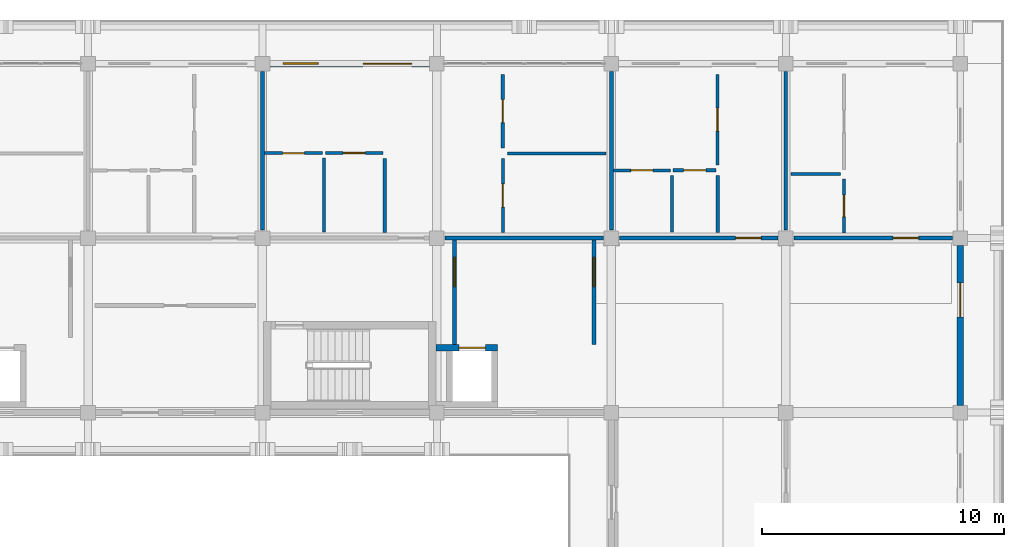
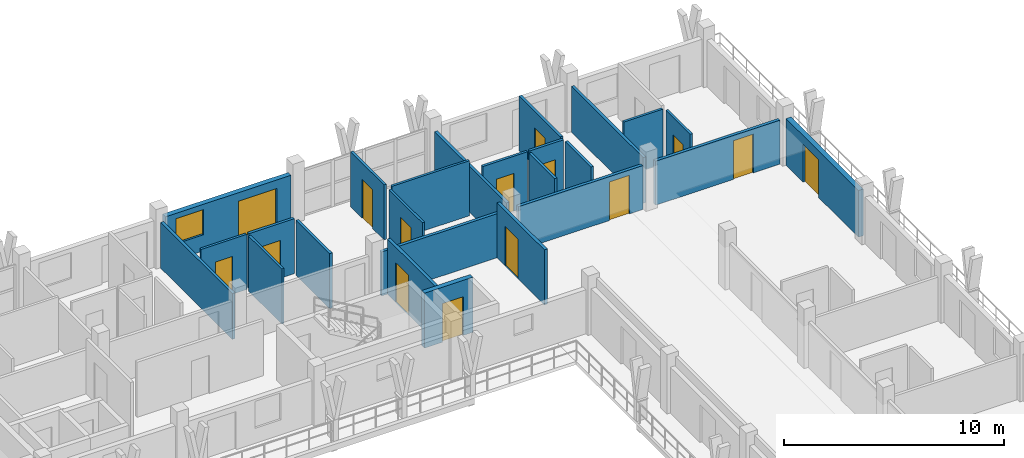
# One storey, part 57 of 75: 25 walls, 15 doors, 1 window, 16 openings.
"""IFC4 building model written with IfcOpenShell, lengths in metres."""

import ifcopenshell
import ifcopenshell.guid

model = None  # the IFC model being written
_history = None  # IfcOwnerHistory: only IFC2X3 demands one
_inside = {}  # id of a spatial element -> (the spatial element, [elements in it])
_under = {}  # id of a project, library or spatial element -> (it, [spatial elements below it])
_declared = {}  # id of a project -> (the project, [libraries it declares])
_typed = {}  # id of a type object -> (the type object, [elements of that type])
_made_of = {}  # id of a material, layer set ... -> (it, [elements and type objects made of it])


def new_model(schema):
    """Start an empty IFC model of exactly this schema.

    Asked for "IFC4X3", IfcOpenShell would pick the latest addendum, in which some entities
    have other attributes; the version numbers below select the first issue.
    IFC2X3 requires an IfcOwnerHistory on every rooted entity: one is made here for all.
    """
    global model, _history
    if schema == "IFC4X3":
        model = ifcopenshell.file(schema_version=(4, 3, 0, 0))
    else:
        model = ifcopenshell.file(schema=schema)
    _inside.clear()
    _under.clear()
    _declared.clear()
    _typed.clear()
    _made_of.clear()
    _history = None
    if model.schema == "IFC2X3":
        org = make("IfcOrganization", Name="unknown")
        user = make(
            "IfcPersonAndOrganization",
            ThePerson=make("IfcPerson", FamilyName="unknown"),
            TheOrganization=org,
        )
        app = make(
            "IfcApplication",
            ApplicationDeveloper=org,
            Version="unknown",
            ApplicationFullName="unknown",
            ApplicationIdentifier="unknown",
        )
        _history = make(
            "IfcOwnerHistory",
            OwningUser=user,
            OwningApplication=app,
            ChangeAction="ADDED",
            CreationDate=0,
        )
    return model


def make(cls, **values):
    """One entity of the class cls with the attributes given. An attribute that is None is left unset."""
    return model.create_entity(
        cls, **{name: value for name, value in values.items() if value is not None}
    )


def rooted(cls, **values):
    """An entity with a GlobalId (a new one), such as an element, a storey or a relation."""
    return make(cls, GlobalId=ifcopenshell.guid.new(), OwnerHistory=_history, **values)


def si_unit(unit_type, name, prefix=None):
    """IfcSIUnit, for example si_unit("LENGTHUNIT", "METRE", prefix="MILLI")."""
    return make("IfcSIUnit", UnitType=unit_type, Prefix=prefix, Name=name)


def assignment(units):
    """IfcUnitAssignment: the units of a project."""
    return None if units is None else make("IfcUnitAssignment", Units=units)


def point(xyz):
    """IfcCartesianPoint."""
    return None if xyz is None else make("IfcCartesianPoint", Coordinates=xyz)


def direction(xyz):
    """IfcDirection."""
    return None if xyz is None else make("IfcDirection", DirectionRatios=xyz)


def frame(location, z_axis=None, x_axis=None):
    """IfcAxis2Placement3D, a coordinate frame: its origin and axes. An axis left out is left unset."""
    return make(
        "IfcAxis2Placement3D",
        Location=point(location),
        Axis=direction(z_axis),
        RefDirection=direction(x_axis),
    )


def frame_2d(location, x_axis=None):
    """IfcAxis2Placement2D, a coordinate frame in the plane: its origin and x axis."""
    return make(
        "IfcAxis2Placement2D", Location=point(location), RefDirection=direction(x_axis)
    )


def origin():
    """The frame at (0, 0, 0) with its axes left unset."""
    return frame((0.0, 0.0, 0.0))


def place(relative_to, where):
    """IfcLocalPlacement: puts the frame where relative to a parent placement (None: the world)."""
    return make(
        "IfcLocalPlacement", PlacementRelTo=relative_to, RelativePlacement=where
    )


def context(
    kind, dimensions, precision=None, world=None, true_north=None, identifier=None
):
    """IfcGeometricRepresentationContext, for example the 3D "Model" context."""
    return make(
        "IfcGeometricRepresentationContext",
        ContextIdentifier=identifier,
        ContextType=kind,
        CoordinateSpaceDimension=dimensions,
        Precision=precision,
        WorldCoordinateSystem=world,
        TrueNorth=true_north,
    )


def subcontext(parent, identifier, kind, view, scale=None):
    """IfcGeometricRepresentationSubContext, for example "Body" below "Model"."""
    return make(
        "IfcGeometricRepresentationSubContext",
        ContextIdentifier=identifier,
        ContextType=kind,
        ParentContext=parent,
        TargetScale=scale,
        TargetView=view,
    )


def project(units=None, contexts=None):
    """IfcProject with its units and contexts."""
    return rooted(
        "IfcProject",
        Name="project",
        RepresentationContexts=contexts,
        UnitsInContext=assignment(units),
    )


def spatial(cls, under=None, at=None, **own):
    """A site, building, storey or space (cls), placed at a placement, below another one or the project."""
    s = rooted(cls, ObjectPlacement=at, **own)
    if under is not None:
        _under.setdefault(under.id(), (under, []))[1].append(s)
    return s


def profile(cls, at=None, kind="AREA", **sizes):
    """A parametric profile (cls). Its sizes go by their IFC names, for example OverallWidth=200.0."""
    return make(cls, ProfileType=kind, Position=at, **sizes)


def rectangle(**sizes):
    """IfcRectangleProfileDef."""
    return profile("IfcRectangleProfileDef", **sizes)


def extrude(swept, where, along, depth):
    """IfcExtrudedAreaSolid: the profile swept, set in the frame where, extruded along a direction by depth."""
    return make(
        "IfcExtrudedAreaSolid",
        SweptArea=swept,
        Position=where,
        ExtrudedDirection=direction(along),
        Depth=depth,
    )


def shape(context_of_items, identifier, shape_type, items):
    """IfcShapeRepresentation: the items that make up one representation, for example the "Body"."""
    return make(
        "IfcShapeRepresentation",
        ContextOfItems=context_of_items,
        RepresentationIdentifier=identifier,
        RepresentationType=shape_type,
        Items=items,
    )


def material(Name=None, Category=None):
    """IfcMaterial."""
    return make("IfcMaterial", Name=Name, Category=Category)


def layer(
    of_material, thickness, ventilated=None, Name=None, Category=None, Priority=None
):
    """IfcMaterialLayer: one layer of a wall or slab, of a material (None: an air gap)."""
    return make(
        "IfcMaterialLayer",
        Material=of_material,
        LayerThickness=thickness,
        IsVentilated=ventilated,
        Name=Name,
        Category=Category,
        Priority=Priority,
    )


def layer_set(layers, Name=None):
    """IfcMaterialLayerSet."""
    return make("IfcMaterialLayerSet", MaterialLayers=layers, LayerSetName=Name)


def made_of(thing, what):
    """Note that an element or type object is made of a material, layer set ...; save() writes the relation."""
    if what is not None:
        _made_of.setdefault(what.id(), (what, []))[1].append(thing)
    return thing


def type_object(cls, material=None, **own):
    """A type object (cls), such as IfcWallType, which elements share."""
    return made_of(rooted(cls, **own), material)


def element(
    cls,
    number,
    at=None,
    inside=None,
    cuts=None,
    type_object=None,
    material=None,
    context=None,
    identifier="Body",
    shape_type=None,
    held_by="IfcProductDefinitionShape",
    body=None,
    shapes=None,
    **own,
):
    """One element of the class cls, such as IfcWall. Its Tag is "e" and its number.

    at: its placement. inside: the storey or other place that contains it. cuts: it is an
    opening in that element (IfcRelVoidsElement). A single representation is given by context,
    identifier, shape_type and body (its items); several are given by shapes. held_by: the class
    of the entity that holds the representations. save() writes the other relations.
    """
    e = rooted(cls, Tag="e%d" % number, ObjectPlacement=at, **own)
    if body is not None:
        shapes = [shape(context, identifier, shape_type, body)]
    if shapes is not None:
        e.Representation = make(held_by, Representations=shapes)
    if inside is not None:
        _inside.setdefault(inside.id(), (inside, []))[1].append(e)
    if cuts is not None:
        rooted(
            "IfcRelVoidsElement", RelatingBuildingElement=cuts, RelatedOpeningElement=e
        )
    if type_object is not None:
        _typed.setdefault(type_object.id(), (type_object, []))[1].append(e)
    return made_of(e, material)


def fill(opening, filler):
    """IfcRelFillsElement: the door or window that sits in an opening."""
    return rooted(
        "IfcRelFillsElement",
        RelatingOpeningElement=opening,
        RelatedBuildingElement=filler,
    )


def aggregate(whole, parts):
    """IfcRelAggregates: a whole, such as a stair, and the parts it consists of."""
    return rooted("IfcRelAggregates", RelatingObject=whole, RelatedObjects=parts)


def save(model, path):
    """Write the relations noted so far, then the file.

    IfcRelAggregates (storeys below a building ...), IfcRelContainedInSpatialStructure (elements
    in a storey), IfcRelDefinesByType, IfcRelAssociatesMaterial and IfcRelDeclares: one each for
    every whole, place, type object, material and project.
    """
    for whole, parts in _under.values():
        aggregate(whole, parts)
    for where, things in _inside.values():
        rooted(
            "IfcRelContainedInSpatialStructure",
            RelatedElements=things,
            RelatingStructure=where,
        )
    for kind, things in _typed.values():
        rooted("IfcRelDefinesByType", RelatedObjects=things, RelatingType=kind)
    for what, things in _made_of.values():
        rooted("IfcRelAssociatesMaterial", RelatedObjects=things, RelatingMaterial=what)
    for by, libraries in _declared.values():
        rooted("IfcRelDeclares", RelatingContext=by, RelatedDefinitions=libraries)
    model.write(path)


model = new_model("IFC4")

# Units and contexts
model_context = context("Model", 3, precision=1e-05, world=origin(), true_north=direction((0.0, 1.0)))
body_context = subcontext(model_context, "Body", "Model", "MODEL_VIEW")
ifc_project = project(units=[si_unit("LENGTHUNIT", "METRE"), si_unit("AREAUNIT", "SQUARE_METRE"), si_unit("VOLUMEUNIT", "CUBIC_METRE"), si_unit("PLANEANGLEUNIT", "RADIAN"), si_unit("MASSUNIT", "GRAM", prefix="KILO")], contexts=[model_context])

# Site, building, storey
site_placement = place(None, origin())
site = spatial("IfcSite", under=ifc_project, at=site_placement, CompositionType="ELEMENT")
building_placement = place(site_placement, origin())
building = spatial("IfcBuilding", under=site, at=building_placement, Name="Suanplinth Sawtooth Commons", CompositionType="ELEMENT")
storey_placement = place(building_placement, frame((0.0, 0.0, 18.60009765625)))
storey = spatial("IfcBuildingStorey", under=building, at=storey_placement, Name="L05", CompositionType="ELEMENT", Elevation=18.60009765625)

# Wall, openings, door, window
ifc_material_1 = material(Name="Precast concrete C40/50", Category="concrete")
ifc_layer_1 = layer(ifc_material_1, 0.260009765625, Name="Insulated precast courtyard facade wall 260mm")
ifc_layer_set_1 = layer_set([ifc_layer_1], Name="Precast concrete C40/50")
wall_type_1 = type_object("IfcWallType", Name="W-EX02", PredefinedType="ELEMENTEDWALL", material=ifc_layer_set_1)
wall_1_placement = place(storey_placement, frame((158.699951171875, 122.39990234375, 0.0), z_axis=(0.0, 0.0, 1.0), x_axis=(1.0, 0.0, 0.0)))
wall_1 = element("IfcWall", 1, at=wall_1_placement, inside=storey, type_object=wall_type_1, Name="Facade Wall W-L05-B-N-22-16", PredefinedType="ELEMENTEDWALL", context=body_context, shape_type="SweptSolid", body=[
    extrude(rectangle(XDim=6.60009765625, YDim=0.260009765625, at=frame_2d((3.300048828125, 0.0))), origin(), (0.0, 0.0, 1.0), 2.594970703125),
])
opening_1_placement = place(wall_1_placement, frame((3.85009765625, 0.0, 0.0)))
opening_1 = element("IfcOpeningElement", 2, at=opening_1_placement, cuts=wall_1, Name="Opening ED0429", PredefinedType="OPENING", context=body_context, shape_type="SweptSolid", body=[
    extrude(rectangle(XDim=2.0, YDim=2.1201171875, at=frame_2d((1.0, 1.06005859375))), frame((0.0, 0.14501953125, 0.0), z_axis=(0.0, -1.0, 0.0), x_axis=(1.0, 0.0, 0.0)), (0.0, 0.0, 1.0), 0.289794921875),
])
opening_2_placement = place(wall_1_placement, frame((0.550048828125, 0.0, 0.89990234375)))
opening_2 = element("IfcOpeningElement", 3, at=opening_2_placement, cuts=wall_1, Name="Opening W0521", PredefinedType="OPENING", context=body_context, shape_type="SweptSolid", body=[
    extrude(rectangle(XDim=1.449951171875, YDim=1.39990234375, at=frame_2d((0.72509765625, 0.699951171875))), frame((0.0, 0.14501953125, 0.0), z_axis=(0.0, -1.0, 0.0), x_axis=(1.0, 0.0, 0.0)), (0.0, 0.0, 1.0), 0.289794921875),
])
ifc_material_2 = material(Name="Anodized aluminium and low-E glass", Category="aluminium")
door_type_1 = type_object("IfcDoorType", Name="SD-06", OperationType="DOUBLE_DOOR_SLIDING", PredefinedType="DOOR", material=ifc_material_2)
door_1_placement = place(opening_1_placement, frame((2.0, 0.0, 0.0), z_axis=(0.0, 0.0, 1.0), x_axis=(-1.0, 0.0, 0.0)))
door_1 = element("IfcDoor", 4, at=door_1_placement, inside=storey, type_object=door_type_1, Name="Balcony Sliding Door L05-B-22", OperationType="DOUBLE_DOOR_SLIDING", OverallHeight=2.1201171875, OverallWidth=2.0, PredefinedType="DOOR", context=body_context, shape_type="SweptSolid", body=[
    extrude(rectangle(XDim=2.0, YDim=2.1201171875, at=frame_2d((1.0, 1.06005859375))), frame((0.0, 0.02490234375, 0.0), z_axis=(0.0, -1.0, 0.0), x_axis=(1.0, 0.0, 0.0)), (0.0, 0.0, 1.0), 0.050048828125),
])
fill(opening_1, door_1)
ifc_material_3 = material(Name="Thermally broken aluminium and low-E double glazing", Category="aluminium")
window_type = type_object("IfcWindowType", Name="WN-16", PartitioningType="DOUBLE_PANEL_VERTICAL", PredefinedType="WINDOW", material=ifc_material_3)
window_placement = place(opening_2_placement, origin())
window = element("IfcWindow", 5, at=window_placement, inside=storey, type_object=window_type, Name="Apartment Window L05-B-22", OverallHeight=1.39990234375, OverallWidth=1.449951171875, PartitioningType="DOUBLE_PANEL_VERTICAL", PredefinedType="WINDOW", context=body_context, shape_type="SweptSolid", body=[
    extrude(rectangle(XDim=1.449951171875, YDim=1.39990234375, at=frame_2d((0.72509765625, 0.699951171875))), frame((0.0, 0.030029296875, 0.0), z_axis=(0.0, -1.0, 0.0), x_axis=(1.0, 0.0, 0.0)), (0.0, 0.0, 1.0), 0.06005859375),
])
fill(opening_2, window)

# Wall, opening, door
wall_2_placement = place(storey_placement, frame((187.199951171875, 108.300048828125, 0.0), z_axis=(0.0, 0.0, 1.0), x_axis=(0.0, 1.0, 0.0)))
wall_2 = element("IfcWall", 6, at=wall_2_placement, inside=storey, type_object=wall_type_1, Name="Facade Wall W-L05-B-E-25-15", PredefinedType="ELEMENTEDWALL", context=body_context, shape_type="SweptSolid", body=[
    extrude(rectangle(XDim=6.599853515625, YDim=0.260009765625, at=frame_2d((3.2998046875, 0.0))), origin(), (0.0, 0.0, 1.0), 2.594970703125),
])
opening_3_placement = place(wall_2_placement, frame((3.64990234375, 0.0, 0.0)))
opening_3 = element("IfcOpeningElement", 7, at=opening_3_placement, cuts=wall_2, Name="Opening ED0440", PredefinedType="OPENING", context=body_context, shape_type="SweptSolid", body=[
    extrude(rectangle(XDim=1.39990234375, YDim=2.10009765625, at=frame_2d((0.699951171875, 1.050048828125))), frame((0.0, 0.14501953125, 0.0), z_axis=(0.0, -1.0, 0.0), x_axis=(1.0, 0.0, 0.0)), (0.0, 0.0, 1.0), 0.289794921875),
])
door_type_2 = type_object("IfcDoorType", Name="SD-07", OperationType="SLIDING_TO_RIGHT", PredefinedType="DOOR", material=ifc_material_2)
door_2_placement = place(opening_3_placement, frame((1.39990234375, 0.0, 0.0), z_axis=(0.0, 0.0, 1.0), x_axis=(-1.0, 0.0, 0.0)))
door_2 = element("IfcDoor", 8, at=door_2_placement, inside=storey, type_object=door_type_2, Name="End Balcony Sliding Door L05-B-E-25-15", OperationType="SLIDING_TO_RIGHT", OverallHeight=2.10009765625, OverallWidth=1.39990234375, PredefinedType="DOOR", context=body_context, shape_type="SweptSolid", body=[
    extrude(rectangle(XDim=1.39990234375, YDim=2.10009765625, at=frame_2d((0.699951171875, 1.050048828125))), frame((0.0, 0.02490234375, 0.0), z_axis=(0.0, -1.0, 0.0), x_axis=(1.0, 0.0, 0.0)), (0.0, 0.0, 1.0), 0.050048828125),
])
fill(opening_3, door_2)

ifc_layer_2 = layer(ifc_material_1, 0.159912109375, Name="Fire-rated corridor and lobby wall 160mm")
ifc_layer_set_2 = layer_set([ifc_layer_2], Name="Precast concrete C40/50")
wall_type_2 = type_object("IfcWallType", Name="W-FW01", PredefinedType="PARTITIONING", material=ifc_layer_set_2)
wall_3_placement = place(storey_placement, frame((166.320068359375, 110.800048828125, 0.0), z_axis=(0.0, 0.0, 1.0), x_axis=(0.0, 1.0, 0.0)))
wall_3 = element("IfcWall", 9, at=wall_3_placement, inside=storey, type_object=wall_type_2, Name="W-L05-C-B2-LOB-W", PredefinedType="PARTITIONING", context=body_context, shape_type="SweptSolid", body=[
    extrude(rectangle(XDim=4.320068359375, YDim=0.159912109375, at=frame_2d((2.16015625, 0.0))), origin(), (0.0, 0.0, 1.0), 3.059814453125),
])
opening_4_placement = place(wall_3_placement, frame((2.39990234375, 0.0, 0.0)))
opening_4 = element("IfcOpeningElement", 10, at=opening_4_placement, cuts=wall_3, Name="Opening FD0245", PredefinedType="OPENING", context=body_context, shape_type="SweptSolid", body=[
    extrude(rectangle(XDim=1.199951171875, YDim=2.199951171875, at=frame_2d((0.60009765625, 1.10009765625))), frame((0.0, 0.0947265625, 0.0), z_axis=(0.0, -1.0, 0.0), x_axis=(1.0, 0.0, 0.0)), (0.0, 0.0, 1.0), 0.189697265625),
])
ifc_material_4 = material(Name="Teak hardwood fire-rated door assembly", Category="wood")
door_type_3 = type_object("IfcDoorType", Name="FD-02", OperationType="NOTDEFINED", PredefinedType="DOOR", material=ifc_material_4)
door_3_placement = place(opening_4_placement, origin())
door_3 = element("IfcDoor", 11, at=door_3_placement, inside=storey, type_object=door_type_3, Name="Lobby Fire Door FD0245", OperationType="SINGLE_SWING_RIGHT", OverallHeight=2.199951171875, OverallWidth=1.199951171875, PredefinedType="DOOR", context=body_context, shape_type="SweptSolid", body=[
    extrude(rectangle(XDim=1.199951171875, YDim=2.199951171875, at=frame_2d((0.60009765625, 1.10009765625))), frame((0.0, 0.02490234375, 0.0), z_axis=(0.0, -1.0, 0.0), x_axis=(1.0, 0.0, 0.0)), (0.0, 0.0, 1.0), 0.050048828125),
])
fill(opening_4, door_3)

wall_4_placement = place(storey_placement, frame((172.080078125, 110.800048828125, 0.0), z_axis=(0.0, 0.0, 1.0), x_axis=(0.0, 1.0, 0.0)))
wall_4 = element("IfcWall", 12, at=wall_4_placement, inside=storey, type_object=wall_type_2, Name="W-L05-C-B2-LOB-E", PredefinedType="PARTITIONING", context=body_context, shape_type="SweptSolid", body=[
    extrude(rectangle(XDim=4.320068359375, YDim=0.159912109375, at=frame_2d((2.16015625, 0.0))), origin(), (0.0, 0.0, 1.0), 3.059814453125),
])
opening_5_placement = place(wall_4_placement, frame((2.39990234375, 0.0, 0.0)))
opening_5 = element("IfcOpeningElement", 13, at=opening_5_placement, cuts=wall_4, Name="Opening FD0246", PredefinedType="OPENING", context=body_context, shape_type="SweptSolid", body=[
    extrude(rectangle(XDim=1.199951171875, YDim=2.199951171875, at=frame_2d((0.60009765625, 1.10009765625))), frame((0.0, 0.0947265625, 0.0), z_axis=(0.0, -1.0, 0.0), x_axis=(1.0, 0.0, 0.0)), (0.0, 0.0, 1.0), 0.189697265625),
])
door_4_placement = place(opening_5_placement, frame((1.199951171875, 0.0, 0.0), z_axis=(0.0, 0.0, 1.0), x_axis=(-1.0, 0.0, 0.0)))
door_4 = element("IfcDoor", 14, at=door_4_placement, inside=storey, type_object=door_type_3, Name="Lobby Fire Door FD0246", OperationType="SINGLE_SWING_LEFT", OverallHeight=2.199951171875, OverallWidth=1.199951171875, PredefinedType="DOOR", context=body_context, shape_type="SweptSolid", body=[
    extrude(rectangle(XDim=1.199951171875, YDim=2.199951171875, at=frame_2d((0.60009765625, 1.10009765625))), frame((0.0, 0.02490234375, 0.0), z_axis=(0.0, -1.0, 0.0), x_axis=(1.0, 0.0, 0.0)), (0.0, 0.0, 1.0), 0.050048828125),
])
fill(opening_5, door_4)

# Wall
wall_5_placement = place(storey_placement, frame((165.929931640625, 115.199951171875, 0.0), z_axis=(0.0, 0.0, 1.0), x_axis=(1.0, 0.0, 0.0)))
element("IfcWall", 15, at=wall_5_placement, inside=storey, type_object=wall_type_2, Name="W-B-L05-U05-COR-S2", PredefinedType="PARTITIONING", context=body_context, shape_type="SweptSolid", body=[
    extrude(rectangle(XDim=6.5400390625, YDim=0.159912109375, at=frame_2d((3.27001953125, 0.0))), origin(), (0.0, 0.0, 1.0), 2.44482421875),
])

# Wall, opening, door
wall_6_placement = place(storey_placement, frame((173.1298828125, 115.199951171875, 0.0), z_axis=(0.0, 0.0, 1.0), x_axis=(1.0, 0.0, 0.0)))
wall_6 = element("IfcWall", 16, at=wall_6_placement, inside=storey, type_object=wall_type_2, Name="W-B-L05-U06-COR", PredefinedType="PARTITIONING", context=body_context, shape_type="SweptSolid", body=[
    extrude(rectangle(XDim=6.5400390625, YDim=0.159912109375, at=frame_2d((3.27001953125, 0.0))), origin(), (0.0, 0.0, 1.0), 2.44482421875),
])
opening_6_placement = place(wall_6_placement, frame((4.794921875, 0.0, 0.0)))
opening_6 = element("IfcOpeningElement", 17, at=opening_6_placement, cuts=wall_6, Name="Opening FD1269", PredefinedType="OPENING", context=body_context, shape_type="SweptSolid", body=[
    extrude(rectangle(XDim=1.050048828125, YDim=2.14990234375, at=frame_2d((0.52490234375, 1.074951171875))), frame((0.0, 0.0947265625, 0.0), z_axis=(0.0, -1.0, 0.0), x_axis=(1.0, 0.0, 0.0)), (0.0, 0.0, 1.0), 0.189697265625),
])
door_type_4 = type_object("IfcDoorType", Name="FD-04", OperationType="NOTDEFINED", PredefinedType="DOOR", material=ifc_material_4)
door_5_placement = place(opening_6_placement, origin())
door_5 = element("IfcDoor", 18, at=door_5_placement, inside=storey, type_object=door_type_4, Name="Unit Entrance Door FD1269", OperationType="SINGLE_SWING_LEFT", OverallHeight=2.14990234375, OverallWidth=1.050048828125, PredefinedType="DOOR", context=body_context, shape_type="SweptSolid", body=[
    extrude(rectangle(XDim=1.050048828125, YDim=2.14990234375, at=frame_2d((0.52490234375, 1.074951171875))), frame((0.0, 0.02490234375, 0.0), z_axis=(0.0, -1.0, 0.0), x_axis=(1.0, 0.0, 0.0)), (0.0, 0.0, 1.0), 0.050048828125),
])
fill(opening_6, door_5)

wall_7_placement = place(storey_placement, frame((180.330078125, 115.199951171875, 0.0), z_axis=(0.0, 0.0, 1.0), x_axis=(1.0, 0.0, 0.0)))
wall_7 = element("IfcWall", 19, at=wall_7_placement, inside=storey, type_object=wall_type_2, Name="W-B-L05-U07-COR", PredefinedType="PARTITIONING", context=body_context, shape_type="SweptSolid", body=[
    extrude(rectangle(XDim=6.5400390625, YDim=0.159912109375, at=frame_2d((3.27001953125, 0.0))), origin(), (0.0, 0.0, 1.0), 2.44482421875),
])
opening_7_placement = place(wall_7_placement, frame((4.094970703125, 0.0, 0.0)))
opening_7 = element("IfcOpeningElement", 20, at=opening_7_placement, cuts=wall_7, Name="Opening FD1273", PredefinedType="OPENING", context=body_context, shape_type="SweptSolid", body=[
    extrude(rectangle(XDim=1.050048828125, YDim=2.14990234375, at=frame_2d((0.52490234375, 1.074951171875))), frame((0.0, 0.0947265625, 0.0), z_axis=(0.0, -1.0, 0.0), x_axis=(1.0, 0.0, 0.0)), (0.0, 0.0, 1.0), 0.189697265625),
])
door_6_placement = place(opening_7_placement, origin())
door_6 = element("IfcDoor", 21, at=door_6_placement, inside=storey, type_object=door_type_4, Name="Unit Entrance Door FD1273", OperationType="SINGLE_SWING_LEFT", OverallHeight=2.14990234375, OverallWidth=1.050048828125, PredefinedType="DOOR", context=body_context, shape_type="SweptSolid", body=[
    extrude(rectangle(XDim=1.050048828125, YDim=2.14990234375, at=frame_2d((0.52490234375, 1.074951171875))), frame((0.0, 0.02490234375, 0.0), z_axis=(0.0, -1.0, 0.0), x_axis=(1.0, 0.0, 0.0)), (0.0, 0.0, 1.0), 0.050048828125),
])
fill(opening_7, door_6)

# Walls
ifc_layer_3 = layer(ifc_material_1, 0.14990234375, Name="Acoustic precast party demising wall 150mm")
ifc_layer_set_3 = layer_set([ifc_layer_3], Name="Precast concrete C40/50")
wall_type_3 = type_object("IfcWallType", Name="W-FW02", PredefinedType="PARTITIONING", material=ifc_layer_set_3)
for number, where, z_axis, x_axis, name in (
    (22, (158.39990234375, 115.530029296875, 0.0), (0.0, 0.0, 1.0), (0.0, 1.0, 0.0), "W-B-L05-U04-PTY"),
    (23, (172.800048828125, 115.530029296875, 0.0), (0.0, 0.0, 1.0), (0.0, 1.0, 0.0), "W-B-L05-U05-PTY"),
    (24, (180.0, 115.530029296875, 0.0), (0.0, 0.0, 1.0), (0.0, 1.0, 0.0), "W-B-L05-U06-PTY"),
):
    element("IfcWall", number, at=place(storey_placement, frame(where, z_axis=z_axis, x_axis=x_axis)), inside=storey, type_object=wall_type_3, Name=name, PredefinedType="PARTITIONING", context=body_context, shape_type="SweptSolid", body=[
        extrude(rectangle(XDim=6.5400390625, YDim=0.14990234375, at=frame_2d((3.27001953125, 0.0))), origin(), (0.0, 0.0, 1.0), 2.544921875),
    ])

# Wall, opening, door
ifc_material_5 = material(Name="Gypsum plasterboard on steel stud", Category="steel")
ifc_layer_4 = layer(ifc_material_5, 0.139892578125, Name="Fire-rated kitchen partition 140mm")
ifc_layer_set_4 = layer_set([ifc_layer_4], Name="Gypsum plasterboard on steel stud")
wall_type_4 = type_object("IfcWallType", Name="W-PT01", PredefinedType="PARTITIONING", material=ifc_layer_set_4)
wall_8_placement = place(storey_placement, frame((161.0, 118.7099609375, 0.0), z_axis=(0.0, 0.0, 1.0), x_axis=(1.0, 0.0, 0.0)))
wall_8 = element("IfcWall", 25, at=wall_8_placement, inside=storey, type_object=wall_type_4, Name="W-B-L05-U05-KIT1", PredefinedType="PARTITIONING", context=body_context, shape_type="SweptSolid", body=[
    extrude(rectangle(XDim=2.3798828125, YDim=0.139892578125, at=frame_2d((1.18994140625, 0.0))), origin(), (0.0, 0.0, 1.0), 3.059814453125),
])
opening_8_placement = place(wall_8_placement, frame((0.72998046875, 0.0, 0.0)))
opening_8 = element("IfcOpeningElement", 26, at=opening_8_placement, cuts=wall_8, Name="Opening D1266", PredefinedType="OPENING", context=body_context, shape_type="SweptSolid", body=[
    extrude(rectangle(XDim=0.919921875, YDim=2.10009765625, at=frame_2d((0.4599609375, 1.050048828125))), frame((0.0, 0.0849609375, 0.0), z_axis=(0.0, -1.0, 0.0), x_axis=(1.0, 0.0, 0.0)), (0.0, 0.0, 1.0), 0.169677734375),
])
ifc_material_6 = material(Name="Teak hardwood", Category="wood")
door_type_5 = type_object("IfcDoorType", Name="D-02", OperationType="NOTDEFINED", PredefinedType="DOOR", material=ifc_material_6)
door_7_placement = place(opening_8_placement, frame((0.919921875, 0.0, 0.0), z_axis=(0.0, 0.0, 1.0), x_axis=(-1.0, 0.0, 0.0)))
door_7 = element("IfcDoor", 27, at=door_7_placement, inside=storey, type_object=door_type_5, Name="Kitchen Door D1266", OperationType="SINGLE_SWING_RIGHT", OverallHeight=2.10009765625, OverallWidth=0.919921875, PredefinedType="DOOR", context=body_context, shape_type="SweptSolid", body=[
    extrude(rectangle(XDim=0.919921875, YDim=2.10009765625, at=frame_2d((0.4599609375, 1.050048828125))), frame((0.0, 0.02490234375, 0.0), z_axis=(0.0, -1.0, 0.0), x_axis=(1.0, 0.0, 0.0)), (0.0, 0.0, 1.0), 0.050048828125),
])
fill(opening_8, door_7)

# Wall
wall_9_placement = place(storey_placement, frame((163.449951171875, 115.429931640625, 0.0), z_axis=(0.0, 0.0, 1.0), x_axis=(0.0, 1.0, 0.0)))
element("IfcWall", 28, at=wall_9_placement, inside=storey, type_object=wall_type_4, Name="W-B-L05-U05-KIT2", PredefinedType="PARTITIONING", context=body_context, shape_type="SweptSolid", body=[
    extrude(rectangle(XDim=3.06005859375, YDim=0.139892578125, at=frame_2d((1.530029296875, 0.0))), origin(), (0.0, 0.0, 1.0), 3.059814453125),
])

# Wall, opening, door
wall_10_placement = place(storey_placement, frame((175.35009765625, 118.0, 0.0), z_axis=(0.0, 0.0, 1.0), x_axis=(1.0, 0.0, 0.0)))
wall_10 = element("IfcWall", 29, at=wall_10_placement, inside=storey, type_object=wall_type_4, Name="W-B-L05-U06-KIT1", PredefinedType="PARTITIONING", context=body_context, shape_type="SweptSolid", body=[
    extrude(rectangle(XDim=1.77001953125, YDim=0.139892578125, at=frame_2d((0.885009765625, 0.0))), origin(), (0.0, 0.0, 1.0), 3.059814453125),
])
opening_9_placement = place(wall_10_placement, frame((0.425048828125, 0.0, 0.0)))
opening_9 = element("IfcOpeningElement", 30, at=opening_9_placement, cuts=wall_10, Name="Opening D1271", PredefinedType="OPENING", context=body_context, shape_type="SweptSolid", body=[
    extrude(rectangle(XDim=0.919921875, YDim=2.10009765625, at=frame_2d((0.4599609375, 1.050048828125))), frame((0.0, 0.0849609375, 0.0), z_axis=(0.0, -1.0, 0.0), x_axis=(1.0, 0.0, 0.0)), (0.0, 0.0, 1.0), 0.169677734375),
])
door_8_placement = place(opening_9_placement, frame((0.919921875, 0.0, 0.0), z_axis=(0.0, 0.0, 1.0), x_axis=(-1.0, 0.0, 0.0)))
door_8 = element("IfcDoor", 31, at=door_8_placement, inside=storey, type_object=door_type_5, Name="Kitchen Door D1271", OperationType="SINGLE_SWING_LEFT", OverallHeight=2.10009765625, OverallWidth=0.919921875, PredefinedType="DOOR", context=body_context, shape_type="SweptSolid", body=[
    extrude(rectangle(XDim=0.919921875, YDim=2.10009765625, at=frame_2d((0.4599609375, 1.050048828125))), frame((0.0, 0.02490234375, 0.0), z_axis=(0.0, -1.0, 0.0), x_axis=(1.0, 0.0, 0.0)), (0.0, 0.0, 1.0), 0.050048828125),
])
fill(opening_9, door_8)

# Wall
wall_11_placement = place(storey_placement, frame((177.18994140625, 115.429931640625, 0.0), z_axis=(0.0, 0.0, 1.0), x_axis=(0.0, 1.0, 0.0)))
element("IfcWall", 32, at=wall_11_placement, inside=storey, type_object=wall_type_4, Name="W-B-L05-U06-KIT2", PredefinedType="PARTITIONING", context=body_context, shape_type="SweptSolid", body=[
    extrude(rectangle(XDim=2.35009765625, YDim=0.139892578125, at=frame_2d((1.175048828125, 0.0))), origin(), (0.0, 0.0, 1.0), 3.059814453125),
])

# Wall, opening, door
ifc_layer_5 = layer(ifc_material_5, 0.1298828125, Name="Moisture-resistant bathroom partition 130mm")
ifc_layer_set_5 = layer_set([ifc_layer_5], Name="Gypsum plasterboard on steel stud")
wall_type_5 = type_object("IfcWallType", Name="W-PT02", PredefinedType="PARTITIONING", material=ifc_layer_set_5)
wall_12_placement = place(storey_placement, frame((158.47998046875, 118.705078125, 0.0), z_axis=(0.0, 0.0, 1.0), x_axis=(1.0, 0.0, 0.0)))
wall_12 = element("IfcWall", 33, at=wall_12_placement, inside=storey, type_object=wall_type_5, Name="W-B-L05-U05-BTH1", PredefinedType="PARTITIONING", context=body_context, shape_type="SweptSolid", body=[
    extrude(rectangle(XDim=2.39990234375, YDim=0.1298828125, at=frame_2d((1.199951171875, 0.0))), origin(), (0.0, 0.0, 1.0), 3.059814453125),
])
opening_10_placement = place(wall_12_placement, frame((0.75, 0.0, 0.0)))
opening_10 = element("IfcOpeningElement", 34, at=opening_10_placement, cuts=wall_12, Name="Opening D1265", PredefinedType="OPENING", context=body_context, shape_type="SweptSolid", body=[
    extrude(rectangle(XDim=0.89990234375, YDim=2.10009765625, at=frame_2d((0.449951171875, 1.050048828125))), frame((0.0, 0.079833984375, 0.0), z_axis=(0.0, -1.0, 0.0), x_axis=(1.0, 0.0, 0.0)), (0.0, 0.0, 1.0), 0.15966796875),
])
door_type_6 = type_object("IfcDoorType", Name="D-01", OperationType="NOTDEFINED", PredefinedType="DOOR", material=ifc_material_6)
door_9_placement = place(opening_10_placement, frame((0.89990234375, 0.0, 0.0), z_axis=(0.0, 0.0, 1.0), x_axis=(-1.0, 0.0, 0.0)))
door_9 = element("IfcDoor", 35, at=door_9_placement, inside=storey, type_object=door_type_6, Name="Bathroom Door D1265", OperationType="SINGLE_SWING_LEFT", OverallHeight=2.10009765625, OverallWidth=0.89990234375, PredefinedType="DOOR", context=body_context, shape_type="SweptSolid", body=[
    extrude(rectangle(XDim=0.89990234375, YDim=2.10009765625, at=frame_2d((0.449951171875, 1.050048828125))), frame((0.0, 0.02490234375, 0.0), z_axis=(0.0, -1.0, 0.0), x_axis=(1.0, 0.0, 0.0)), (0.0, 0.0, 1.0), 0.050048828125),
])
fill(opening_10, door_9)

# Wall
wall_13_placement = place(storey_placement, frame((160.945068359375, 115.4599609375, 0.0), z_axis=(0.0, 0.0, 1.0), x_axis=(0.0, 1.0, 0.0)))
element("IfcWall", 36, at=wall_13_placement, inside=storey, type_object=wall_type_5, Name="W-B-L05-U05-BTH2", PredefinedType="PARTITIONING", context=body_context, shape_type="SweptSolid", body=[
    extrude(rectangle(XDim=3.0400390625, YDim=0.1298828125, at=frame_2d((1.52001953125, 0.0))), origin(), (0.0, 0.0, 1.0), 3.059814453125),
])

# Wall, opening, door
wall_14_placement = place(storey_placement, frame((172.8798828125, 117.9951171875, 0.0), z_axis=(0.0, 0.0, 1.0), x_axis=(1.0, 0.0, 0.0)))
wall_14 = element("IfcWall", 37, at=wall_14_placement, inside=storey, type_object=wall_type_5, Name="W-B-L05-U06-BTH1", PredefinedType="PARTITIONING", context=body_context, shape_type="SweptSolid", body=[
    extrude(rectangle(XDim=2.35009765625, YDim=0.1298828125, at=frame_2d((1.175048828125, 0.0))), origin(), (0.0, 0.0, 1.0), 3.059814453125),
])
opening_11_placement = place(wall_14_placement, frame((0.72509765625, 0.0, 0.0)))
opening_11 = element("IfcOpeningElement", 38, at=opening_11_placement, cuts=wall_14, Name="Opening D1270", PredefinedType="OPENING", context=body_context, shape_type="SweptSolid", body=[
    extrude(rectangle(XDim=0.89990234375, YDim=2.10009765625, at=frame_2d((0.449951171875, 1.050048828125))), frame((0.0, 0.079833984375, 0.0), z_axis=(0.0, -1.0, 0.0), x_axis=(1.0, 0.0, 0.0)), (0.0, 0.0, 1.0), 0.15966796875),
])
door_10_placement = place(opening_11_placement, frame((0.89990234375, 0.0, 0.0), z_axis=(0.0, 0.0, 1.0), x_axis=(-1.0, 0.0, 0.0)))
door_10 = element("IfcDoor", 39, at=door_10_placement, inside=storey, type_object=door_type_6, Name="Bathroom Door D1270", OperationType="SINGLE_SWING_RIGHT", OverallHeight=2.10009765625, OverallWidth=0.89990234375, PredefinedType="DOOR", context=body_context, shape_type="SweptSolid", body=[
    extrude(rectangle(XDim=0.89990234375, YDim=2.10009765625, at=frame_2d((0.449951171875, 1.050048828125))), frame((0.0, 0.02490234375, 0.0), z_axis=(0.0, -1.0, 0.0), x_axis=(1.0, 0.0, 0.0)), (0.0, 0.0, 1.0), 0.050048828125),
])
fill(opening_11, door_10)

# Walls
wall_15_placement = place(storey_placement, frame((175.294921875, 115.4599609375, 0.0), z_axis=(0.0, 0.0, 1.0), x_axis=(0.0, 1.0, 0.0)))
element("IfcWall", 40, at=wall_15_placement, inside=storey, type_object=wall_type_5, Name="W-B-L05-U06-BTH2", PredefinedType="PARTITIONING", context=body_context, shape_type="SweptSolid", body=[
    extrude(rectangle(XDim=2.330078125, YDim=0.1298828125, at=frame_2d((1.1650390625, 0.0))), origin(), (0.0, 0.0, 1.0), 3.059814453125),
])
wall_16_placement = place(storey_placement, frame((180.199951171875, 117.840087890625, 0.0), z_axis=(0.0, 0.0, 1.0), x_axis=(1.0, 0.0, 0.0)))
element("IfcWall", 41, at=wall_16_placement, inside=storey, type_object=wall_type_5, Name="W-B-L05-U07-STDIV", PredefinedType="PARTITIONING", context=body_context, shape_type="SweptSolid", body=[
    extrude(rectangle(XDim=2.050048828125, YDim=0.1298828125, at=frame_2d((1.02490234375, 0.0))), origin(), (0.0, 0.0, 1.0), 3.059814453125),
])

# Wall, opening, door
wall_17_placement = place(storey_placement, frame((182.39501953125, 115.419921875, 0.0), z_axis=(0.0, 0.0, 1.0), x_axis=(0.0, 1.0, 0.0)))
wall_17 = element("IfcWall", 42, at=wall_17_placement, inside=storey, type_object=wall_type_5, Name="W-B-L05-U07-BTHE", PredefinedType="PARTITIONING", context=body_context, shape_type="SweptSolid", body=[
    extrude(rectangle(XDim=2.219970703125, YDim=0.1298828125, at=frame_2d((1.10986328125, 0.0))), origin(), (0.0, 0.0, 1.0), 3.059814453125),
])
opening_12_placement = place(wall_17_placement, frame((0.669921875, 0.0, 0.0)))
opening_12 = element("IfcOpeningElement", 43, at=opening_12_placement, cuts=wall_17, Name="Opening D1274", PredefinedType="OPENING", context=body_context, shape_type="SweptSolid", body=[
    extrude(rectangle(XDim=0.8798828125, YDim=2.10009765625, at=frame_2d((0.43994140625, 1.050048828125))), frame((0.0, 0.079833984375, 0.0), z_axis=(0.0, -1.0, 0.0), x_axis=(1.0, 0.0, 0.0)), (0.0, 0.0, 1.0), 0.15966796875),
])
door_type_7 = type_object("IfcDoorType", Name="D-14", OperationType="NOTDEFINED", PredefinedType="DOOR", material=ifc_material_6)
door_11_placement = place(opening_12_placement, origin())
door_11 = element("IfcDoor", 44, at=door_11_placement, inside=storey, type_object=door_type_7, Name="Bathroom Door D1274", OperationType="SINGLE_SWING_RIGHT", OverallHeight=2.10009765625, OverallWidth=0.8798828125, PredefinedType="DOOR", context=body_context, shape_type="SweptSolid", body=[
    extrude(rectangle(XDim=0.8798828125, YDim=2.10009765625, at=frame_2d((0.43994140625, 1.050048828125))), frame((0.0, 0.02490234375, 0.0), z_axis=(0.0, -1.0, 0.0), x_axis=(1.0, 0.0, 0.0)), (0.0, 0.0, 1.0), 0.050048828125),
])
fill(opening_12, door_11)

ifc_layer_6 = layer(ifc_material_5, 0.1201171875, Name="Acoustic bedroom partition 120mm")
ifc_layer_set_6 = layer_set([ifc_layer_6], Name="Gypsum plasterboard on steel stud")
wall_type_6 = type_object("IfcWallType", Name="W-PT03", PredefinedType="PARTITIONING", material=ifc_layer_set_6)
wall_18_placement = place(storey_placement, frame((168.320068359375, 115.43994140625, 0.0), z_axis=(0.0, 0.0, 1.0), x_axis=(0.0, 1.0, 0.0)))
wall_18 = element("IfcWall", 45, at=wall_18_placement, inside=storey, type_object=wall_type_6, Name="W-B-L05-U05-BED2", PredefinedType="PARTITIONING", context=body_context, shape_type="SweptSolid", body=[
    extrude(rectangle(XDim=3.0400390625, YDim=0.1201171875, at=frame_2d((1.52001953125, 0.0))), origin(), (0.0, 0.0, 1.0), 3.059814453125),
])
opening_13_placement = place(wall_18_placement, frame((1.0400390625, 0.0, 0.0)))
opening_13 = element("IfcOpeningElement", 46, at=opening_13_placement, cuts=wall_18, Name="Opening D1268", PredefinedType="OPENING", context=body_context, shape_type="SweptSolid", body=[
    extrude(rectangle(XDim=0.9599609375, YDim=2.14990234375, at=frame_2d((0.47998046875, 1.074951171875))), frame((0.0, 0.074951171875, 0.0), z_axis=(0.0, -1.0, 0.0), x_axis=(1.0, 0.0, 0.0)), (0.0, 0.0, 1.0), 0.14990234375),
])
door_type_8 = type_object("IfcDoorType", Name="D-13", OperationType="NOTDEFINED", PredefinedType="DOOR", material=ifc_material_6)
door_12_placement = place(opening_13_placement, frame((0.9599609375, 0.0, 0.0), z_axis=(0.0, 0.0, 1.0), x_axis=(-1.0, 0.0, 0.0)))
door_12 = element("IfcDoor", 47, at=door_12_placement, inside=storey, type_object=door_type_8, Name="Second Bedroom Door D1268", OperationType="SINGLE_SWING_RIGHT", OverallHeight=2.14990234375, OverallWidth=0.9599609375, PredefinedType="DOOR", context=body_context, shape_type="SweptSolid", body=[
    extrude(rectangle(XDim=0.9599609375, YDim=2.14990234375, at=frame_2d((0.47998046875, 1.074951171875))), frame((0.0, 0.02490234375, 0.0), z_axis=(0.0, -1.0, 0.0), x_axis=(1.0, 0.0, 0.0)), (0.0, 0.0, 1.0), 0.050048828125),
])
fill(opening_13, door_12)

# Wall
ifc_layer_7 = layer(ifc_material_5, 0.125, Name="Acoustic study partition 125mm")
ifc_layer_set_7 = layer_set([ifc_layer_7], Name="Gypsum plasterboard on steel stud")
wall_type_7 = type_object("IfcWallType", Name="W-PT06", PredefinedType="PARTITIONING", material=ifc_layer_set_7)
wall_19_placement = place(storey_placement, frame((168.52001953125, 118.699951171875, 0.0), z_axis=(0.0, 0.0, 1.0), x_axis=(1.0, 0.0, 0.0)))
element("IfcWall", 48, at=wall_19_placement, inside=storey, type_object=wall_type_7, Name="W-B-L05-U05-BEDDIV", PredefinedType="PARTITIONING", context=body_context, shape_type="SweptSolid", body=[
    extrude(rectangle(XDim=4.06005859375, YDim=0.125, at=frame_2d((2.030029296875, 0.0))), origin(), (0.0, 0.0, 1.0), 3.059814453125),
])

# Wall, opening, door
ifc_layer_8 = layer(ifc_material_5, 0.135009765625, Name="Insulated bedroom demising partition 135mm")
ifc_layer_set_8 = layer_set([ifc_layer_8], Name="Gypsum plasterboard on steel stud")
wall_type_8 = type_object("IfcWallType", Name="W-PT07", PredefinedType="PARTITIONING", material=ifc_layer_set_8)
wall_20_placement = place(storey_placement, frame((168.320068359375, 118.919921875, 0.0), z_axis=(0.0, 0.0, 1.0), x_axis=(0.0, 1.0, 0.0)))
wall_20 = element("IfcWall", 49, at=wall_20_placement, inside=storey, type_object=wall_type_8, Name="W-B-L05-U05-BED1", PredefinedType="PARTITIONING", context=body_context, shape_type="SweptSolid", body=[
    extrude(rectangle(XDim=3.0400390625, YDim=0.135009765625, at=frame_2d((1.52001953125, 0.0))), origin(), (0.0, 0.0, 1.0), 3.059814453125),
])
opening_14_placement = place(wall_20_placement, frame((1.044921875, 0.0, 0.0)))
opening_14 = element("IfcOpeningElement", 50, at=opening_14_placement, cuts=wall_20, Name="Opening D1267", PredefinedType="OPENING", context=body_context, shape_type="SweptSolid", body=[
    extrude(rectangle(XDim=0.949951171875, YDim=2.14990234375, at=frame_2d((0.47509765625, 1.074951171875))), frame((0.0, 0.08251953125, 0.0), z_axis=(0.0, -1.0, 0.0), x_axis=(1.0, 0.0, 0.0)), (0.0, 0.0, 1.0), 0.164794921875),
])
door_type_9 = type_object("IfcDoorType", Name="D-03", OperationType="NOTDEFINED", PredefinedType="DOOR", material=ifc_material_6)
door_13_placement = place(opening_14_placement, frame((0.949951171875, 0.0, 0.0), z_axis=(0.0, 0.0, 1.0), x_axis=(-1.0, 0.0, 0.0)))
door_13 = element("IfcDoor", 51, at=door_13_placement, inside=storey, type_object=door_type_9, Name="Bedroom Door D1267", OperationType="SINGLE_SWING_LEFT", OverallHeight=2.14990234375, OverallWidth=0.949951171875, PredefinedType="DOOR", context=body_context, shape_type="SweptSolid", body=[
    extrude(rectangle(XDim=0.949951171875, YDim=2.14990234375, at=frame_2d((0.47509765625, 1.074951171875))), frame((0.0, 0.02490234375, 0.0), z_axis=(0.0, -1.0, 0.0), x_axis=(1.0, 0.0, 0.0)), (0.0, 0.0, 1.0), 0.050048828125),
])
fill(opening_14, door_13)

wall_21_placement = place(storey_placement, frame((177.179931640625, 118.2099609375, 0.0), z_axis=(0.0, 0.0, 1.0), x_axis=(0.0, 1.0, 0.0)))
wall_21 = element("IfcWall", 52, at=wall_21_placement, inside=storey, type_object=wall_type_8, Name="W-B-L05-U06-BED1", PredefinedType="PARTITIONING", context=body_context, shape_type="SweptSolid", body=[
    extrude(rectangle(XDim=3.75, YDim=0.135009765625, at=frame_2d((1.875, 0.0))), origin(), (0.0, 0.0, 1.0), 3.059814453125),
])
opening_15_placement = place(wall_21_placement, frame((1.39990234375, 0.0, 0.0)))
opening_15 = element("IfcOpeningElement", 53, at=opening_15_placement, cuts=wall_21, Name="Opening D1272", PredefinedType="OPENING", context=body_context, shape_type="SweptSolid", body=[
    extrude(rectangle(XDim=0.949951171875, YDim=2.14990234375, at=frame_2d((0.47509765625, 1.074951171875))), frame((0.0, 0.08251953125, 0.0), z_axis=(0.0, -1.0, 0.0), x_axis=(1.0, 0.0, 0.0)), (0.0, 0.0, 1.0), 0.164794921875),
])
door_14_placement = place(opening_15_placement, origin())
door_14 = element("IfcDoor", 54, at=door_14_placement, inside=storey, type_object=door_type_9, Name="Bedroom Door D1272", OperationType="SINGLE_SWING_RIGHT", OverallHeight=2.14990234375, OverallWidth=0.949951171875, PredefinedType="DOOR", context=body_context, shape_type="SweptSolid", body=[
    extrude(rectangle(XDim=0.949951171875, YDim=2.14990234375, at=frame_2d((0.47509765625, 1.074951171875))), frame((0.0, 0.02490234375, 0.0), z_axis=(0.0, -1.0, 0.0), x_axis=(1.0, 0.0, 0.0)), (0.0, 0.0, 1.0), 0.050048828125),
])
fill(opening_15, door_14)

ifc_layer_9 = layer(ifc_material_1, 0.25, Name="Precast structural shear wall 250mm")
ifc_layer_set_9 = layer_set([ifc_layer_9], Name="Precast concrete C40/50")
wall_type_9 = type_object("IfcWallType", Name="W-SH01", PredefinedType="SHEAR", material=ifc_layer_set_9)
wall_22_placement = place(storey_placement, frame((165.550048828125, 110.675048828125, 0.0), z_axis=(0.0, 0.0, 1.0), x_axis=(1.0, 0.0, 0.0)))
wall_22 = element("IfcWall", 55, at=wall_22_placement, inside=storey, type_object=wall_type_9, Name="W-L05-LF4-N", PredefinedType="SHEAR", context=body_context, shape_type="SweptSolid", body=[
    extrude(rectangle(XDim=2.550048828125, YDim=0.25, at=frame_2d((1.27490234375, 0.0))), origin(), (0.0, 0.0, 1.0), 3.059814453125),
])
opening_16_placement = place(wall_22_placement, frame((0.949951171875, 0.0, 0.0)))
opening_16 = element("IfcOpeningElement", 56, at=opening_16_placement, cuts=wall_22, Name="Opening LD0247", PredefinedType="OPENING", context=body_context, shape_type="SweptSolid", body=[
    extrude(rectangle(XDim=1.10009765625, YDim=2.14990234375, at=frame_2d((0.550048828125, 1.074951171875))), frame((0.0, 0.139892578125, 0.0), z_axis=(0.0, -1.0, 0.0), x_axis=(1.0, 0.0, 0.0)), (0.0, 0.0, 1.0), 0.27978515625),
])
ifc_material_7 = material(Name="Stainless steel Grade 304", Category="steel")
door_type_10 = type_object("IfcDoorType", Name="LD-01", OperationType="SLIDING_TO_LEFT", PredefinedType="DOOR", material=ifc_material_7)
door_15_placement = place(opening_16_placement, origin())
door_15 = element("IfcDoor", 57, at=door_15_placement, inside=storey, type_object=door_type_10, Name="Lift Landing Sliding Door LF4 L05", OperationType="SLIDING_TO_LEFT", OverallHeight=2.14990234375, OverallWidth=1.10009765625, PredefinedType="DOOR", context=body_context, shape_type="SweptSolid", body=[
    extrude(rectangle(XDim=1.10009765625, YDim=2.14990234375, at=frame_2d((0.550048828125, 1.074951171875))), frame((0.0, 0.02490234375, 0.0), z_axis=(0.0, -1.0, 0.0), x_axis=(1.0, 0.0, 0.0)), (0.0, 0.0, 1.0), 0.050048828125),
])
fill(opening_16, door_15)

save(model, "model.ifc")
